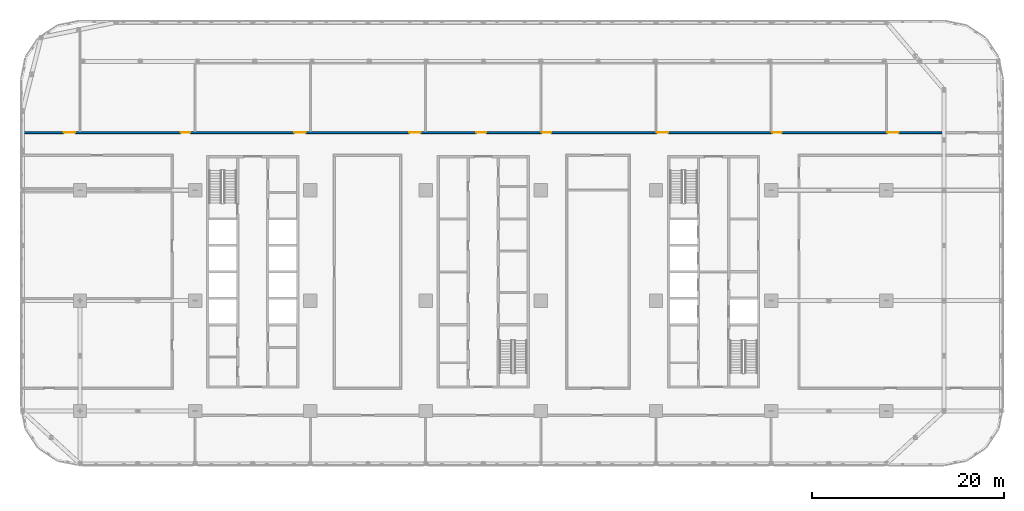
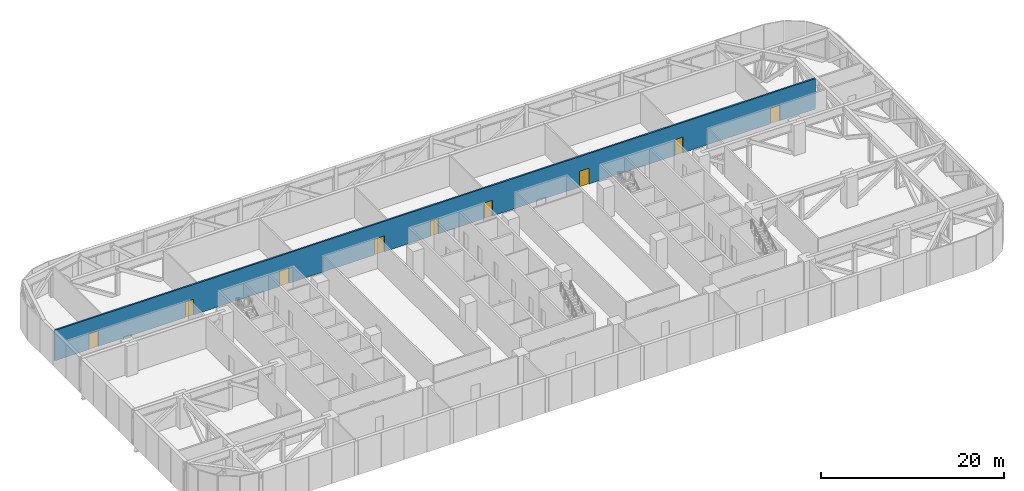
# One storey, part 11 of 26: 9 doors, 1 wall, 9 openings.
"""IFC4 building model written with IfcOpenShell, lengths in metres."""

import ifcopenshell
import ifcopenshell.guid

model = None  # the IFC model being written
_history = None  # IfcOwnerHistory: only IFC2X3 demands one
_inside = {}  # id of a spatial element -> (the spatial element, [elements in it])
_under = {}  # id of a project, library or spatial element -> (it, [spatial elements below it])
_declared = {}  # id of a project -> (the project, [libraries it declares])
_typed = {}  # id of a type object -> (the type object, [elements of that type])
_made_of = {}  # id of a material, layer set ... -> (it, [elements and type objects made of it])


def new_model(schema):
    """Start an empty IFC model of exactly this schema.

    Asked for "IFC4X3", IfcOpenShell would pick the latest addendum, in which some entities
    have other attributes; the version numbers below select the first issue.
    IFC2X3 requires an IfcOwnerHistory on every rooted entity: one is made here for all.
    """
    global model, _history
    if schema == "IFC4X3":
        model = ifcopenshell.file(schema_version=(4, 3, 0, 0))
    else:
        model = ifcopenshell.file(schema=schema)
    _inside.clear()
    _under.clear()
    _declared.clear()
    _typed.clear()
    _made_of.clear()
    _history = None
    if model.schema == "IFC2X3":
        org = make("IfcOrganization", Name="unknown")
        user = make(
            "IfcPersonAndOrganization",
            ThePerson=make("IfcPerson", FamilyName="unknown"),
            TheOrganization=org,
        )
        app = make(
            "IfcApplication",
            ApplicationDeveloper=org,
            Version="unknown",
            ApplicationFullName="unknown",
            ApplicationIdentifier="unknown",
        )
        _history = make(
            "IfcOwnerHistory",
            OwningUser=user,
            OwningApplication=app,
            ChangeAction="ADDED",
            CreationDate=0,
        )
    return model


def make(cls, **values):
    """One entity of the class cls with the attributes given. An attribute that is None is left unset."""
    return model.create_entity(
        cls, **{name: value for name, value in values.items() if value is not None}
    )


def rooted(cls, **values):
    """An entity with a GlobalId (a new one), such as an element, a storey or a relation."""
    return make(cls, GlobalId=ifcopenshell.guid.new(), OwnerHistory=_history, **values)


def si_unit(unit_type, name, prefix=None):
    """IfcSIUnit, for example si_unit("LENGTHUNIT", "METRE", prefix="MILLI")."""
    return make("IfcSIUnit", UnitType=unit_type, Prefix=prefix, Name=name)


def assignment(units):
    """IfcUnitAssignment: the units of a project."""
    return None if units is None else make("IfcUnitAssignment", Units=units)


def point(xyz):
    """IfcCartesianPoint."""
    return None if xyz is None else make("IfcCartesianPoint", Coordinates=xyz)


def direction(xyz):
    """IfcDirection."""
    return None if xyz is None else make("IfcDirection", DirectionRatios=xyz)


def frame(location, z_axis=None, x_axis=None):
    """IfcAxis2Placement3D, a coordinate frame: its origin and axes. An axis left out is left unset."""
    return make(
        "IfcAxis2Placement3D",
        Location=point(location),
        Axis=direction(z_axis),
        RefDirection=direction(x_axis),
    )


def frame_2d(location, x_axis=None):
    """IfcAxis2Placement2D, a coordinate frame in the plane: its origin and x axis."""
    return make(
        "IfcAxis2Placement2D", Location=point(location), RefDirection=direction(x_axis)
    )


def origin():
    """The frame at (0, 0, 0) with its axes left unset."""
    return frame((0.0, 0.0, 0.0))


def place(relative_to, where):
    """IfcLocalPlacement: puts the frame where relative to a parent placement (None: the world)."""
    return make(
        "IfcLocalPlacement", PlacementRelTo=relative_to, RelativePlacement=where
    )


def context(
    kind, dimensions, precision=None, world=None, true_north=None, identifier=None
):
    """IfcGeometricRepresentationContext, for example the 3D "Model" context."""
    return make(
        "IfcGeometricRepresentationContext",
        ContextIdentifier=identifier,
        ContextType=kind,
        CoordinateSpaceDimension=dimensions,
        Precision=precision,
        WorldCoordinateSystem=world,
        TrueNorth=true_north,
    )


def subcontext(parent, identifier, kind, view, scale=None):
    """IfcGeometricRepresentationSubContext, for example "Body" below "Model"."""
    return make(
        "IfcGeometricRepresentationSubContext",
        ContextIdentifier=identifier,
        ContextType=kind,
        ParentContext=parent,
        TargetScale=scale,
        TargetView=view,
    )


def project(units=None, contexts=None):
    """IfcProject with its units and contexts."""
    return rooted(
        "IfcProject",
        Name="project",
        RepresentationContexts=contexts,
        UnitsInContext=assignment(units),
    )


def spatial(cls, under=None, at=None, **own):
    """A site, building, storey or space (cls), placed at a placement, below another one or the project."""
    s = rooted(cls, ObjectPlacement=at, **own)
    if under is not None:
        _under.setdefault(under.id(), (under, []))[1].append(s)
    return s


def profile(cls, at=None, kind="AREA", **sizes):
    """A parametric profile (cls). Its sizes go by their IFC names, for example OverallWidth=200.0."""
    return make(cls, ProfileType=kind, Position=at, **sizes)


def rectangle(**sizes):
    """IfcRectangleProfileDef."""
    return profile("IfcRectangleProfileDef", **sizes)


def extrude(swept, where, along, depth):
    """IfcExtrudedAreaSolid: the profile swept, set in the frame where, extruded along a direction by depth."""
    return make(
        "IfcExtrudedAreaSolid",
        SweptArea=swept,
        Position=where,
        ExtrudedDirection=direction(along),
        Depth=depth,
    )


def shape(context_of_items, identifier, shape_type, items):
    """IfcShapeRepresentation: the items that make up one representation, for example the "Body"."""
    return make(
        "IfcShapeRepresentation",
        ContextOfItems=context_of_items,
        RepresentationIdentifier=identifier,
        RepresentationType=shape_type,
        Items=items,
    )


def material(Name=None, Category=None):
    """IfcMaterial."""
    return make("IfcMaterial", Name=Name, Category=Category)


def layer(
    of_material, thickness, ventilated=None, Name=None, Category=None, Priority=None
):
    """IfcMaterialLayer: one layer of a wall or slab, of a material (None: an air gap)."""
    return make(
        "IfcMaterialLayer",
        Material=of_material,
        LayerThickness=thickness,
        IsVentilated=ventilated,
        Name=Name,
        Category=Category,
        Priority=Priority,
    )


def layer_set(layers, Name=None):
    """IfcMaterialLayerSet."""
    return make("IfcMaterialLayerSet", MaterialLayers=layers, LayerSetName=Name)


def made_of(thing, what):
    """Note that an element or type object is made of a material, layer set ...; save() writes the relation."""
    if what is not None:
        _made_of.setdefault(what.id(), (what, []))[1].append(thing)
    return thing


def type_object(cls, material=None, **own):
    """A type object (cls), such as IfcWallType, which elements share."""
    return made_of(rooted(cls, **own), material)


def element(
    cls,
    number,
    at=None,
    inside=None,
    cuts=None,
    type_object=None,
    material=None,
    context=None,
    identifier="Body",
    shape_type=None,
    held_by="IfcProductDefinitionShape",
    body=None,
    shapes=None,
    **own,
):
    """One element of the class cls, such as IfcWall. Its Tag is "e" and its number.

    at: its placement. inside: the storey or other place that contains it. cuts: it is an
    opening in that element (IfcRelVoidsElement). A single representation is given by context,
    identifier, shape_type and body (its items); several are given by shapes. held_by: the class
    of the entity that holds the representations. save() writes the other relations.
    """
    e = rooted(cls, Tag="e%d" % number, ObjectPlacement=at, **own)
    if body is not None:
        shapes = [shape(context, identifier, shape_type, body)]
    if shapes is not None:
        e.Representation = make(held_by, Representations=shapes)
    if inside is not None:
        _inside.setdefault(inside.id(), (inside, []))[1].append(e)
    if cuts is not None:
        rooted(
            "IfcRelVoidsElement", RelatingBuildingElement=cuts, RelatedOpeningElement=e
        )
    if type_object is not None:
        _typed.setdefault(type_object.id(), (type_object, []))[1].append(e)
    return made_of(e, material)


def fill(opening, filler):
    """IfcRelFillsElement: the door or window that sits in an opening."""
    return rooted(
        "IfcRelFillsElement",
        RelatingOpeningElement=opening,
        RelatedBuildingElement=filler,
    )


def aggregate(whole, parts):
    """IfcRelAggregates: a whole, such as a stair, and the parts it consists of."""
    return rooted("IfcRelAggregates", RelatingObject=whole, RelatedObjects=parts)


def save(model, path):
    """Write the relations noted so far, then the file.

    IfcRelAggregates (storeys below a building ...), IfcRelContainedInSpatialStructure (elements
    in a storey), IfcRelDefinesByType, IfcRelAssociatesMaterial and IfcRelDeclares: one each for
    every whole, place, type object, material and project.
    """
    for whole, parts in _under.values():
        aggregate(whole, parts)
    for where, things in _inside.values():
        rooted(
            "IfcRelContainedInSpatialStructure",
            RelatedElements=things,
            RelatingStructure=where,
        )
    for kind, things in _typed.values():
        rooted("IfcRelDefinesByType", RelatedObjects=things, RelatingType=kind)
    for what, things in _made_of.values():
        rooted("IfcRelAssociatesMaterial", RelatedObjects=things, RelatingMaterial=what)
    for by, libraries in _declared.values():
        rooted("IfcRelDeclares", RelatingContext=by, RelatedDefinitions=libraries)
    model.write(path)


model = new_model("IFC4")

# Units and contexts
model_context = context("Model", 3, precision=1e-05, world=origin(), true_north=direction((0.0, 1.0)))
body_context = subcontext(model_context, "Body", "Model", "MODEL_VIEW")
ifc_project = project(units=[si_unit("LENGTHUNIT", "METRE"), si_unit("AREAUNIT", "SQUARE_METRE"), si_unit("VOLUMEUNIT", "CUBIC_METRE"), si_unit("PLANEANGLEUNIT", "RADIAN"), si_unit("MASSUNIT", "GRAM", prefix="KILO")], contexts=[model_context])

# Site, building, storey
site_placement = place(None, origin())
site = spatial("IfcSite", under=ifc_project, at=site_placement, CompositionType="ELEMENT")
building_placement = place(site_placement, origin())
building = spatial("IfcBuilding", under=site, at=building_placement, Name="Mahtab Terrace Research Tower", CompositionType="ELEMENT")
storey_placement = place(building_placement, frame((0.0, 0.0, 117.60009765625)))
storey = spatial("IfcBuildingStorey", under=building, at=storey_placement, Name="L27", CompositionType="ELEMENT", Elevation=117.60009765625)

# Wall, openings, doors
ifc_material_1 = material(Name="Gypsum board corridor wall on steel studs", Category="steel")
ifc_layer = layer(ifc_material_1, 0.199951171875)
ifc_layer_set = layer_set([ifc_layer], Name="WALL CORRIDOR 200")
wall_type = type_object("IfcWallType", Name="WALL CORRIDOR 200", PredefinedType="PARTITIONING", material=ifc_layer_set)
wall_placement = place(storey_placement, frame((-48.0, 17.5, 0.0), z_axis=(0.0, 0.0, 1.0), x_axis=(1.0, 0.0, 0.0)))
wall = element("IfcWall", 1, at=wall_placement, inside=storey, type_object=wall_type, Name="L27-W024", PredefinedType="PARTITIONING", context=body_context, shape_type="SweptSolid", body=[
    extrude(rectangle(XDim=95.800048828125, YDim=0.199951171875, at=frame_2d((47.89990234375, 0.0))), origin(), (0.0, 0.0, 1.0), 4.059814453125),
])
opening_1_placement = place(wall_placement, frame((4.300048828125, 0.0, 0.0)))
opening_1 = element("IfcOpeningElement", 2, at=opening_1_placement, cuts=wall, Name="Opening L27-118", PredefinedType="OPENING", context=body_context, shape_type="SweptSolid", body=[
    extrude(rectangle(XDim=1.199951171875, YDim=2.10009765625, at=frame_2d((0.60009765625, 1.050048828125))), frame((0.0, 0.10986328125, 0.0), z_axis=(0.0, -1.0, 0.0), x_axis=(1.0, 0.0, 0.0)), (0.0, 0.0, 1.0), 0.219970703125),
])
opening_2_placement = place(wall_placement, frame((16.5, 0.0, 0.0)))
opening_2 = element("IfcOpeningElement", 3, at=opening_2_placement, cuts=wall, Name="Opening L27-119", PredefinedType="OPENING", context=body_context, shape_type="SweptSolid", body=[
    extrude(rectangle(XDim=1.0, YDim=2.10009765625, at=frame_2d((0.5, 1.050048828125))), frame((0.0, 0.10986328125, 0.0), z_axis=(0.0, -1.0, 0.0), x_axis=(1.0, 0.0, 0.0)), (0.0, 0.0, 1.0), 0.219970703125),
])
opening_3_placement = place(wall_placement, frame((28.300048828125, 0.0, 0.0)))
opening_3 = element("IfcOpeningElement", 4, at=opening_3_placement, cuts=wall, Name="Opening L27-120", PredefinedType="OPENING", context=body_context, shape_type="SweptSolid", body=[
    extrude(rectangle(XDim=1.199951171875, YDim=2.10009765625, at=frame_2d((0.60009765625, 1.050048828125))), frame((0.0, 0.10986328125, 0.0), z_axis=(0.0, -1.0, 0.0), x_axis=(1.0, 0.0, 0.0)), (0.0, 0.0, 1.0), 0.219970703125),
])
opening_4_placement = place(wall_placement, frame((40.300048828125, 0.0, 0.0)))
opening_4 = element("IfcOpeningElement", 5, at=opening_4_placement, cuts=wall, Name="Opening L27-121", PredefinedType="OPENING", context=body_context, shape_type="SweptSolid", body=[
    extrude(rectangle(XDim=1.199951171875, YDim=2.10009765625, at=frame_2d((0.60009765625, 1.050048828125))), frame((0.0, 0.10986328125, 0.0), z_axis=(0.0, -1.0, 0.0), x_axis=(1.0, 0.0, 0.0)), (0.0, 0.0, 1.0), 0.219970703125),
])
opening_5_placement = place(wall_placement, frame((47.300048828125, 0.0, 0.0)))
opening_5 = element("IfcOpeningElement", 6, at=opening_5_placement, cuts=wall, Name="Opening L27-122", PredefinedType="OPENING", context=body_context, shape_type="SweptSolid", body=[
    extrude(rectangle(XDim=1.0, YDim=2.10009765625, at=frame_2d((0.5, 1.050048828125))), frame((0.0, 0.10986328125, 0.0), z_axis=(0.0, -1.0, 0.0), x_axis=(1.0, 0.0, 0.0)), (0.0, 0.0, 1.0), 0.219970703125),
])
opening_6_placement = place(wall_placement, frame((54.10009765625, 0.0, 0.0)))
opening_6 = element("IfcOpeningElement", 7, at=opening_6_placement, cuts=wall, Name="Opening L27-123", PredefinedType="OPENING", context=body_context, shape_type="SweptSolid", body=[
    extrude(rectangle(XDim=1.0, YDim=2.10009765625, at=frame_2d((0.5, 1.050048828125))), frame((0.0, 0.10986328125, 0.0), z_axis=(0.0, -1.0, 0.0), x_axis=(1.0, 0.0, 0.0)), (0.0, 0.0, 1.0), 0.219970703125),
])
opening_7_placement = place(wall_placement, frame((66.10009765625, 0.0, 0.0)))
opening_7 = element("IfcOpeningElement", 8, at=opening_7_placement, cuts=wall, Name="Opening L27-124", PredefinedType="OPENING", context=body_context, shape_type="SweptSolid", body=[
    extrude(rectangle(XDim=1.199951171875, YDim=2.10009765625, at=frame_2d((0.60009765625, 1.050048828125))), frame((0.0, 0.10986328125, 0.0), z_axis=(0.0, -1.0, 0.0), x_axis=(1.0, 0.0, 0.0)), (0.0, 0.0, 1.0), 0.219970703125),
])
opening_8_placement = place(wall_placement, frame((78.10009765625, 0.0, 0.0)))
opening_8 = element("IfcOpeningElement", 9, at=opening_8_placement, cuts=wall, Name="Opening L27-125", PredefinedType="OPENING", context=body_context, shape_type="SweptSolid", body=[
    extrude(rectangle(XDim=1.0, YDim=2.10009765625, at=frame_2d((0.5, 1.050048828125))), frame((0.0, 0.10986328125, 0.0), z_axis=(0.0, -1.0, 0.0), x_axis=(1.0, 0.0, 0.0)), (0.0, 0.0, 1.0), 0.219970703125),
])
opening_9_placement = place(wall_placement, frame((90.10009765625, 0.0, 0.0)))
opening_9 = element("IfcOpeningElement", 10, at=opening_9_placement, cuts=wall, Name="Opening L27-126", PredefinedType="OPENING", context=body_context, shape_type="SweptSolid", body=[
    extrude(rectangle(XDim=1.199951171875, YDim=2.10009765625, at=frame_2d((0.60009765625, 1.050048828125))), frame((0.0, 0.10986328125, 0.0), z_axis=(0.0, -1.0, 0.0), x_axis=(1.0, 0.0, 0.0)), (0.0, 0.0, 1.0), 0.219970703125),
])
ifc_material_2 = material(Name="Timber door leaf in steel frame", Category="steel")
door_type_1 = type_object("IfcDoorType", Name="DOOR 1000X2100 FD30S", OperationType="SINGLE_SWING_LEFT", PredefinedType="DOOR", material=ifc_material_2)
door_1_placement = place(opening_2_placement, origin())
door_1 = element("IfcDoor", 11, at=door_1_placement, inside=storey, type_object=door_type_1, Name="Door L27-119", OperationType="SINGLE_SWING_LEFT", OverallHeight=2.10009765625, OverallWidth=1.0, PredefinedType="DOOR", context=body_context, shape_type="SweptSolid", body=[
    extrude(rectangle(XDim=1.0, YDim=2.10009765625, at=frame_2d((0.5, 1.050048828125))), frame((0.0, 0.02490234375, 0.0), z_axis=(0.0, -1.0, 0.0), x_axis=(1.0, 0.0, 0.0)), (0.0, 0.0, 1.0), 0.050048828125),
])
fill(opening_2, door_1)
door_2_placement = place(opening_5_placement, origin())
door_2 = element("IfcDoor", 12, at=door_2_placement, inside=storey, type_object=door_type_1, Name="Door L27-122", OperationType="SINGLE_SWING_LEFT", OverallHeight=2.10009765625, OverallWidth=1.0, PredefinedType="DOOR", context=body_context, shape_type="SweptSolid", body=[
    extrude(rectangle(XDim=1.0, YDim=2.10009765625, at=frame_2d((0.5, 1.050048828125))), frame((0.0, 0.02490234375, 0.0), z_axis=(0.0, -1.0, 0.0), x_axis=(1.0, 0.0, 0.0)), (0.0, 0.0, 1.0), 0.050048828125),
])
fill(opening_5, door_2)
door_3_placement = place(opening_6_placement, origin())
door_3 = element("IfcDoor", 13, at=door_3_placement, inside=storey, type_object=door_type_1, Name="Door L27-123", OperationType="SINGLE_SWING_RIGHT", OverallHeight=2.10009765625, OverallWidth=1.0, PredefinedType="DOOR", context=body_context, shape_type="SweptSolid", body=[
    extrude(rectangle(XDim=1.0, YDim=2.10009765625, at=frame_2d((0.5, 1.050048828125))), frame((0.0, 0.02490234375, 0.0), z_axis=(0.0, -1.0, 0.0), x_axis=(1.0, 0.0, 0.0)), (0.0, 0.0, 1.0), 0.050048828125),
])
fill(opening_6, door_3)
door_4_placement = place(opening_8_placement, origin())
door_4 = element("IfcDoor", 14, at=door_4_placement, inside=storey, type_object=door_type_1, Name="Door L27-125", OperationType="SINGLE_SWING_RIGHT", OverallHeight=2.10009765625, OverallWidth=1.0, PredefinedType="DOOR", context=body_context, shape_type="SweptSolid", body=[
    extrude(rectangle(XDim=1.0, YDim=2.10009765625, at=frame_2d((0.5, 1.050048828125))), frame((0.0, 0.02490234375, 0.0), z_axis=(0.0, -1.0, 0.0), x_axis=(1.0, 0.0, 0.0)), (0.0, 0.0, 1.0), 0.050048828125),
])
fill(opening_8, door_4)
door_type_2 = type_object("IfcDoorType", Name="DOOR 1200X2100 FD30S", OperationType="SINGLE_SWING_LEFT", PredefinedType="DOOR", material=ifc_material_2)
door_5_placement = place(opening_1_placement, origin())
door_5 = element("IfcDoor", 15, at=door_5_placement, inside=storey, type_object=door_type_2, Name="Door L27-118", OperationType="SINGLE_SWING_LEFT", OverallHeight=2.10009765625, OverallWidth=1.199951171875, PredefinedType="DOOR", context=body_context, shape_type="SweptSolid", body=[
    extrude(rectangle(XDim=1.199951171875, YDim=2.10009765625, at=frame_2d((0.60009765625, 1.050048828125))), frame((0.0, 0.02490234375, 0.0), z_axis=(0.0, -1.0, 0.0), x_axis=(1.0, 0.0, 0.0)), (0.0, 0.0, 1.0), 0.050048828125),
])
fill(opening_1, door_5)
door_6_placement = place(opening_3_placement, origin())
door_6 = element("IfcDoor", 16, at=door_6_placement, inside=storey, type_object=door_type_2, Name="Door L27-120", OperationType="SINGLE_SWING_LEFT", OverallHeight=2.10009765625, OverallWidth=1.199951171875, PredefinedType="DOOR", context=body_context, shape_type="SweptSolid", body=[
    extrude(rectangle(XDim=1.199951171875, YDim=2.10009765625, at=frame_2d((0.60009765625, 1.050048828125))), frame((0.0, 0.02490234375, 0.0), z_axis=(0.0, -1.0, 0.0), x_axis=(1.0, 0.0, 0.0)), (0.0, 0.0, 1.0), 0.050048828125),
])
fill(opening_3, door_6)
door_7_placement = place(opening_4_placement, origin())
door_7 = element("IfcDoor", 17, at=door_7_placement, inside=storey, type_object=door_type_2, Name="Door L27-121", OperationType="SINGLE_SWING_LEFT", OverallHeight=2.10009765625, OverallWidth=1.199951171875, PredefinedType="DOOR", context=body_context, shape_type="SweptSolid", body=[
    extrude(rectangle(XDim=1.199951171875, YDim=2.10009765625, at=frame_2d((0.60009765625, 1.050048828125))), frame((0.0, 0.02490234375, 0.0), z_axis=(0.0, -1.0, 0.0), x_axis=(1.0, 0.0, 0.0)), (0.0, 0.0, 1.0), 0.050048828125),
])
fill(opening_4, door_7)
door_8_placement = place(opening_7_placement, origin())
door_8 = element("IfcDoor", 18, at=door_8_placement, inside=storey, type_object=door_type_2, Name="Door L27-124", OperationType="SINGLE_SWING_RIGHT", OverallHeight=2.10009765625, OverallWidth=1.199951171875, PredefinedType="DOOR", context=body_context, shape_type="SweptSolid", body=[
    extrude(rectangle(XDim=1.199951171875, YDim=2.10009765625, at=frame_2d((0.60009765625, 1.050048828125))), frame((0.0, 0.02490234375, 0.0), z_axis=(0.0, -1.0, 0.0), x_axis=(1.0, 0.0, 0.0)), (0.0, 0.0, 1.0), 0.050048828125),
])
fill(opening_7, door_8)
door_9_placement = place(opening_9_placement, origin())
door_9 = element("IfcDoor", 19, at=door_9_placement, inside=storey, type_object=door_type_2, Name="Door L27-126", OperationType="SINGLE_SWING_RIGHT", OverallHeight=2.10009765625, OverallWidth=1.199951171875, PredefinedType="DOOR", context=body_context, shape_type="SweptSolid", body=[
    extrude(rectangle(XDim=1.199951171875, YDim=2.10009765625, at=frame_2d((0.60009765625, 1.050048828125))), frame((0.0, 0.02490234375, 0.0), z_axis=(0.0, -1.0, 0.0), x_axis=(1.0, 0.0, 0.0)), (0.0, 0.0, 1.0), 0.050048828125),
])
fill(opening_9, door_9)

save(model, "model.ifc")
